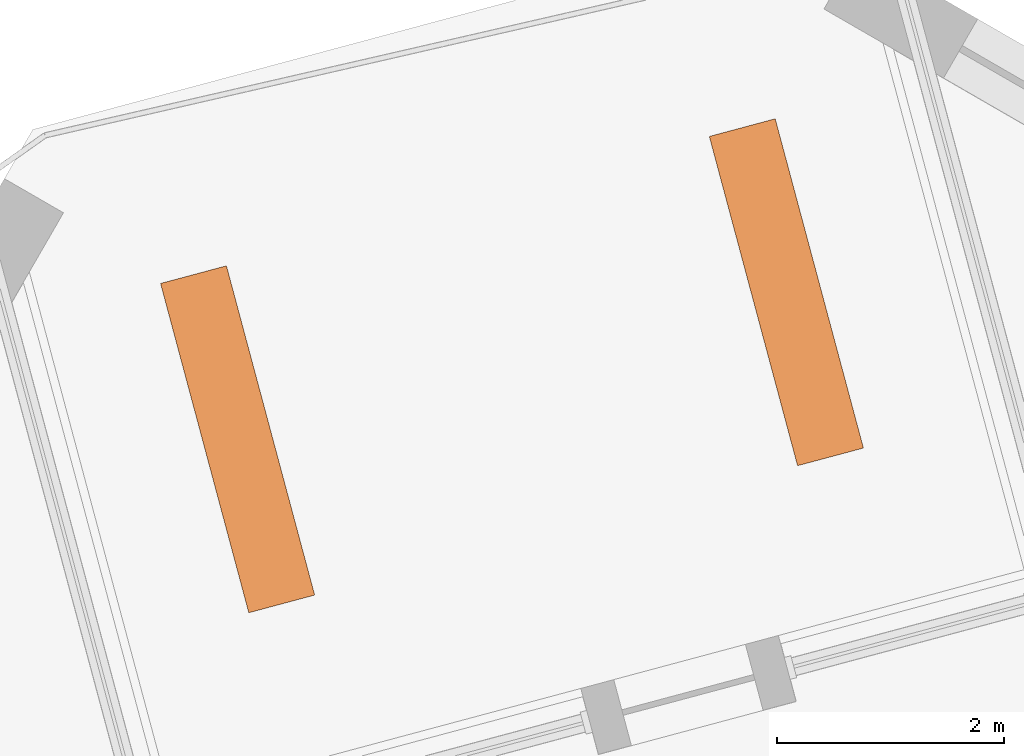
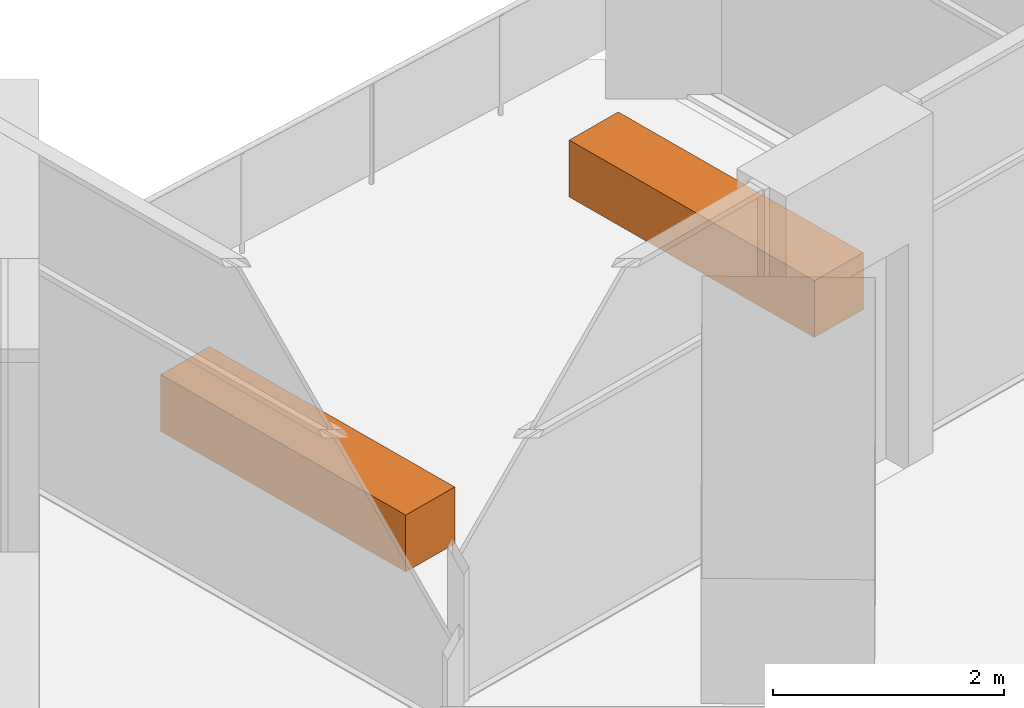
# One storey, part 13 of 13: 2 proxies.
"""IFC4 building model written with IfcOpenShell, lengths in metres."""

from ifc_helpers import new_model, si_unit, direction, frame, origin, origin_2d, place, context, subcontext, project, spatial, rectangle, extrude, element, save


model = new_model("IFC4")

# Units and contexts
model_context = context("Model", 3, precision=1e-05, world=origin(), true_north=direction((0.0, 1.0)))
body_context = subcontext(model_context, "Body", "Model", "MODEL_VIEW")
ifc_project = project(units=[si_unit("LENGTHUNIT", "METRE"), si_unit("AREAUNIT", "SQUARE_METRE"), si_unit("VOLUMEUNIT", "CUBIC_METRE"), si_unit("PLANEANGLEUNIT", "RADIAN"), si_unit("MASSUNIT", "GRAM", prefix="KILO")], contexts=[model_context])

# Site, building, storey
site_placement = place(None, origin())
site = spatial("IfcSite", under=ifc_project, at=site_placement, CompositionType="ELEMENT")
building_placement = place(site_placement, origin())
building = spatial("IfcBuilding", under=site, at=building_placement, Name="Dilmun Exchange Tower", CompositionType="ELEMENT")
storey_placement = place(building_placement, frame((0.0, 0.0, 266.89990234375)))
storey = spatial("IfcBuildingStorey", under=building, at=storey_placement, Name="L63", CompositionType="ELEMENT", Elevation=266.89990234375)

# Proxies
for number, where, z_axis, x_axis, name in (
    (1, (-1.392578125, 32.068359375, 0.0), (0.0, 0.0, 1.0), (-0.258819045103, 0.965925826289, 0.0), "PLANTER Desert shrub L63.1"),
    (2, (-6.22216796875, 30.7744140625, 0.0), (0.0, 0.0, 1.0), (-0.258819045103, 0.965925826289, 0.0), "PLANTER Desert shrub L63.2"),
):
    element("IfcBuildingElementProxy", number, at=place(storey_placement, frame(where, z_axis=z_axis, x_axis=x_axis)), inside=storey, Name=name, ObjectType="PLANTER", PredefinedType="USERDEFINED", context=body_context, shape_type="SweptSolid", body=[
        extrude(rectangle(XDim=3.0, YDim=0.60009765625, at=origin_2d()), origin(), (0.0, 0.0, 1.0), 0.60009765625),
    ])

save(model, "model.ifc")
